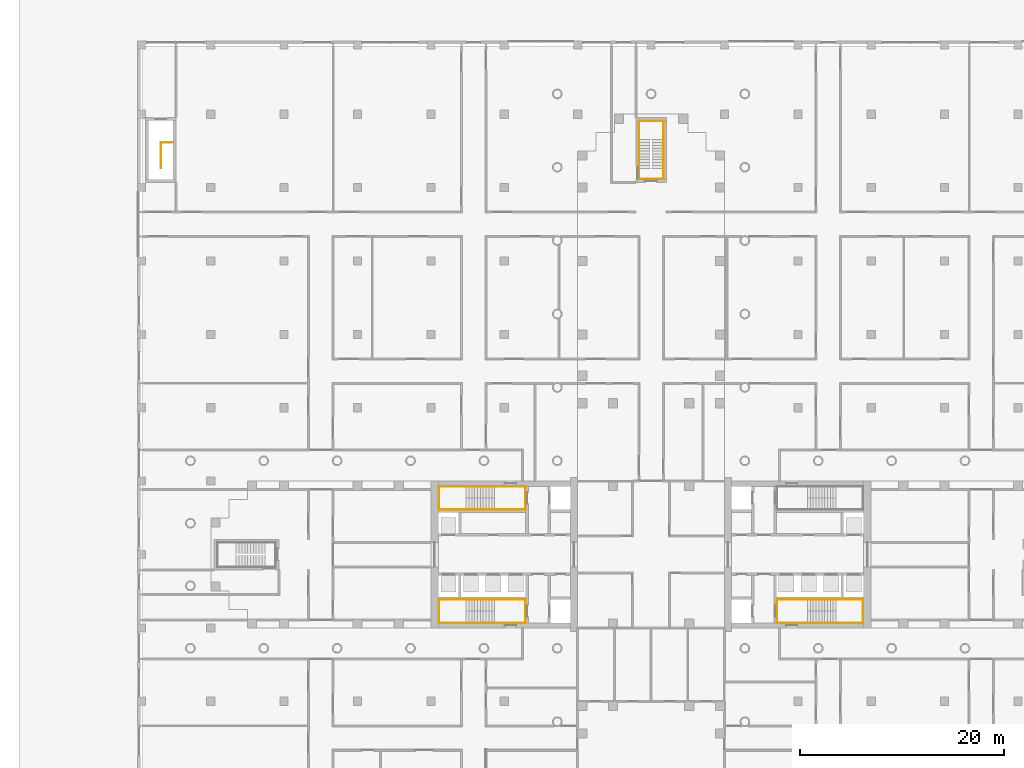
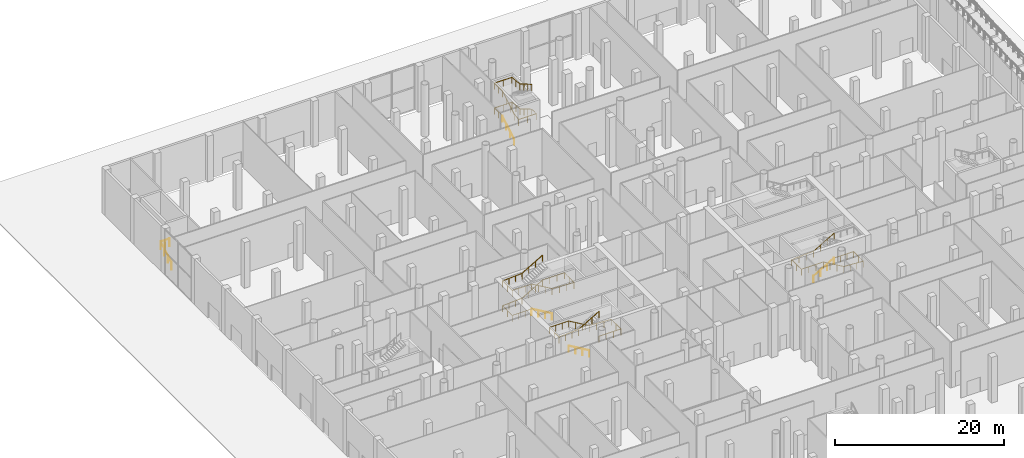
# One storey, part 42 of 44: 15 railings.
"""IFC4 building model written with IfcOpenShell, lengths in metres."""

from ifc_helpers import new_model, si_unit, direction, frame, origin, origin_2d, place, context, subcontext, project, spatial, circle, extrude, material, type_object, element, save


model = new_model("IFC4")

# Units and contexts
model_context = context("Model", 3, precision=1e-05, world=origin(), true_north=direction((0.0, 1.0)))
body_context = subcontext(model_context, "Body", "Model", "MODEL_VIEW")
ifc_project = project(units=[si_unit("LENGTHUNIT", "METRE"), si_unit("AREAUNIT", "SQUARE_METRE"), si_unit("VOLUMEUNIT", "CUBIC_METRE"), si_unit("PLANEANGLEUNIT", "RADIAN"), si_unit("MASSUNIT", "GRAM", prefix="KILO")], contexts=[model_context])

# Site, building, storey
site_placement = place(None, origin())
site = spatial("IfcSite", under=ifc_project, at=site_placement, CompositionType="ELEMENT")
building_placement = place(site_placement, origin())
building = spatial("IfcBuilding", under=site, at=building_placement, Name="Fustian Cross Tower", CompositionType="ELEMENT")
storey_placement = place(building_placement, origin())
storey = spatial("IfcBuildingStorey", under=building, at=storey_placement, Name="L00", CompositionType="ELEMENT", Elevation=0.0)

# Railings
ifc_material_1 = material(Name="Stainless steel", Category="steel")
railing_type_1 = type_object("IfcRailingType", Name="STAIR GUARD", PredefinedType="GUARDRAIL", material=ifc_material_1)
railing_1_placement = place(storey_placement, frame((-48.10009765625, 37.89990234375, -1.43994140625)))
element("IfcRailing", 1, at=railing_1_placement, inside=storey, type_object=railing_type_1, Name="Stair ST11 guard", PredefinedType="GUARDRAIL", context=body_context, shape_type="SweptSolid", body=[
    extrude(circle(Radius=0.02490234375, at=origin_2d()), frame((0.0, 0.0, 1.0751953125), z_axis=(0.0, 0.868253494771, 0.496120820787), x_axis=(-1.0, 0.0, 0.0)), (0.0, 0.0, 1.0), 2.90234375),
    extrude(circle(Radius=0.02490234375, at=origin_2d()), frame((0.0, 2.52001953125, 2.51513671875), z_axis=(1.0, 0.0, 0.0), x_axis=(0.0, 1.0, 0.0)), (0.0, 0.0, 1.0), 1.2001953125),
    extrude(circle(Radius=0.02001953125, at=origin_2d()), origin(), (0.0, 0.0, 1.0), 1.050048828125),
    extrude(circle(Radius=0.02001953125, at=origin_2d()), frame((0.0, 0.840087890625, 0.47998046875)), (0.0, 0.0, 1.0), 1.050048828125),
    extrude(circle(Radius=0.02001953125, at=origin_2d()), frame((0.0, 1.679931640625, 0.9599609375)), (0.0, 0.0, 1.0), 1.050048828125),
    extrude(circle(Radius=0.02001953125, at=origin_2d()), frame((0.0, 2.52001953125, 1.43994140625)), (0.0, 0.0, 1.0), 1.050048828125),
    extrude(circle(Radius=0.02001953125, at=origin_2d()), frame((0.60009765625, 2.52001953125, 1.43994140625)), (0.0, 0.0, 1.0), 1.050048828125),
    extrude(circle(Radius=0.02001953125, at=origin_2d()), frame((1.2001953125, 2.52001953125, 1.43994140625)), (0.0, 0.0, 1.0), 1.050048828125),
])
ifc_material_2 = material(Name="Stainless steel", Category="steel")
railing_type_2 = type_object("IfcRailingType", Name="STAIR HANDRAIL", PredefinedType="HANDRAIL", material=ifc_material_2)
railing_2_placement = place(storey_placement, frame((15.35009765625, -4.39990234375, 0.16357421875)))
element("IfcRailing", 2, at=railing_2_placement, inside=storey, type_object=railing_type_2, Name="Stair ST2 handrail 1", PredefinedType="HANDRAIL", context=body_context, shape_type="SweptSolid", body=[
    extrude(circle(Radius=0.02490234375, at=origin_2d()), frame((0.0, 0.0, 0.875), z_axis=(0.863341702679, 0.0, 0.504619762213), x_axis=(0.0, 1.0, 0.0)), (0.0, 0.0, 1.0), 3.242919921875),
    extrude(circle(Radius=0.02001953125, at=origin_2d()), origin(), (0.0, 0.0, 1.0), 0.849853515625),
    extrude(circle(Radius=0.02001953125, at=origin_2d()), frame((0.933349609375, 0.0, 0.54541015625)), (0.0, 0.0, 1.0), 0.849853515625),
    extrude(circle(Radius=0.02001953125, at=origin_2d()), frame((1.866455078125, 0.0, 1.091064453125)), (0.0, 0.0, 1.0), 0.849853515625),
    extrude(circle(Radius=0.02001953125, at=origin_2d()), frame((2.7998046875, 0.0, 1.636474609375)), (0.0, 0.0, 1.0), 0.849853515625),
])
railing_3_placement = place(storey_placement, frame((18.14990234375, -4.39990234375, 1.800048828125)))
element("IfcRailing", 3, at=railing_3_placement, inside=storey, type_object=railing_type_2, Name="Stair ST2 handrail 2", PredefinedType="HANDRAIL", context=body_context, shape_type="SweptSolid", body=[
    extrude(circle(Radius=0.02490234375, at=origin_2d()), frame((0.0, 0.0, 0.875), z_axis=(1.0, 0.0, 0.0), x_axis=(0.0, 1.0, 0.0)), (0.0, 0.0, 1.0), 2.66015625),
    extrude(circle(Radius=0.02490234375, at=origin_2d()), frame((2.66015625, 0.0, 0.875), z_axis=(0.0, -1.0, 0.0), x_axis=(1.0, 0.0, 0.0)), (0.0, 0.0, 1.0), 2.300048828125),
    extrude(circle(Radius=0.02490234375, at=origin_2d()), frame((2.66015625, -2.300048828125, 0.875), z_axis=(-0.998114806323, 0.0, 0.061374533796), x_axis=(0.0, -1.0, 0.0)), (0.0, 0.0, 1.0), 2.665283203125),
    extrude(circle(Radius=0.02490234375, at=origin_2d()), frame((0.0, -2.300048828125, 1.03857421875), z_axis=(-0.863341702679, 0.0, 0.504619762213), x_axis=(0.0, -1.0, 0.0)), (0.0, 0.0, 1.0), 3.242919921875),
    extrude(circle(Radius=0.02001953125, at=origin_2d()), origin(), (0.0, 0.0, 1.0), 0.849853515625),
    extrude(circle(Radius=0.02001953125, at=origin_2d()), frame((0.88671875, 0.0, 0.0)), (0.0, 0.0, 1.0), 0.849853515625),
    extrude(circle(Radius=0.02001953125, at=origin_2d()), frame((1.7734375, 0.0, 0.0)), (0.0, 0.0, 1.0), 0.849853515625),
    extrude(circle(Radius=0.02001953125, at=origin_2d()), frame((2.66015625, 0.0, 0.0)), (0.0, 0.0, 1.0), 0.849853515625),
    extrude(circle(Radius=0.02001953125, at=origin_2d()), frame((2.66015625, -1.14990234375, 0.0)), (0.0, 0.0, 1.0), 0.849853515625),
    extrude(circle(Radius=0.02001953125, at=origin_2d()), frame((2.66015625, -2.300048828125, 0.0)), (0.0, 0.0, 1.0), 0.849853515625),
    extrude(circle(Radius=0.02001953125, at=origin_2d()), frame((1.7734375, -2.300048828125, 0.054443359375)), (0.0, 0.0, 1.0), 0.849853515625),
    extrude(circle(Radius=0.02001953125, at=origin_2d()), frame((0.88671875, -2.300048828125, 0.109130859375)), (0.0, 0.0, 1.0), 0.849853515625),
    extrude(circle(Radius=0.02001953125, at=origin_2d()), frame((0.0, -2.300048828125, 0.16357421875)), (0.0, 0.0, 1.0), 0.849853515625),
    extrude(circle(Radius=0.02001953125, at=origin_2d()), frame((-0.933349609375, -2.300048828125, 0.708984375)), (0.0, 0.0, 1.0), 0.849853515625),
    extrude(circle(Radius=0.02001953125, at=origin_2d()), frame((-1.866455078125, -2.300048828125, 1.254638671875)), (0.0, 0.0, 1.0), 0.849853515625),
    extrude(circle(Radius=0.02001953125, at=origin_2d()), frame((-2.7998046875, -2.300048828125, 1.800048828125)), (0.0, 0.0, 1.0), 0.849853515625),
])
railing_4_placement = place(storey_placement, frame((15.35009765625, -6.699951171875, 3.60009765625)))
element("IfcRailing", 4, at=railing_4_placement, inside=storey, type_object=railing_type_2, Name="Stair ST2 handrail 3", PredefinedType="HANDRAIL", context=body_context, shape_type="SweptSolid", body=[
    extrude(circle(Radius=0.02490234375, at=origin_2d()), frame((0.0, 0.0, 0.875), z_axis=(-1.0, 0.0, 0.0), x_axis=(0.0, -1.0, 0.0)), (0.0, 0.0, 1.0), 3.010009765625),
    extrude(circle(Radius=0.02490234375, at=origin_2d()), frame((-3.010009765625, 0.0, 0.875), z_axis=(0.0, 1.0, 0.0), x_axis=(-1.0, 0.0, 0.0)), (0.0, 0.0, 1.0), 2.300048828125),
    extrude(circle(Radius=0.02490234375, at=origin_2d()), frame((-3.010009765625, 2.300048828125, 0.875), z_axis=(0.998526658971, 0.0, 0.05426335157), x_axis=(0.0, 1.0, 0.0)), (0.0, 0.0, 1.0), 3.014404296875),
    extrude(circle(Radius=0.02490234375, at=origin_2d()), frame((0.0, 2.300048828125, 1.03857421875), z_axis=(0.863374499697, 0.0, 0.504563646405), x_axis=(0.0, 1.0, 0.0)), (0.0, 0.0, 1.0), 3.242919921875),
    extrude(circle(Radius=0.02001953125, at=origin_2d()), origin(), (0.0, 0.0, 1.0), 0.849853515625),
    extrude(circle(Radius=0.02001953125, at=origin_2d()), frame((-1.00341796875, 0.0, 0.0)), (0.0, 0.0, 1.0), 0.849853515625),
    extrude(circle(Radius=0.02001953125, at=origin_2d()), frame((-2.006591796875, 0.0, 0.0)), (0.0, 0.0, 1.0), 0.849853515625),
    extrude(circle(Radius=0.02001953125, at=origin_2d()), frame((-3.010009765625, 0.0, 0.0)), (0.0, 0.0, 1.0), 0.849853515625),
    extrude(circle(Radius=0.02001953125, at=origin_2d()), frame((-3.010009765625, 1.14990234375, 0.0)), (0.0, 0.0, 1.0), 0.849853515625),
    extrude(circle(Radius=0.02001953125, at=origin_2d()), frame((-3.010009765625, 2.300048828125, 0.0)), (0.0, 0.0, 1.0), 0.849853515625),
    extrude(circle(Radius=0.02001953125, at=origin_2d()), frame((-2.006591796875, 2.300048828125, 0.054443359375)), (0.0, 0.0, 1.0), 0.849853515625),
    extrude(circle(Radius=0.02001953125, at=origin_2d()), frame((-1.00341796875, 2.300048828125, 0.109130859375)), (0.0, 0.0, 1.0), 0.849853515625),
    extrude(circle(Radius=0.02001953125, at=origin_2d()), frame((0.0, 2.300048828125, 0.16357421875)), (0.0, 0.0, 1.0), 0.849853515625),
    extrude(circle(Radius=0.02001953125, at=origin_2d()), frame((0.933349609375, 2.300048828125, 0.708984375)), (0.0, 0.0, 1.0), 0.849853515625),
    extrude(circle(Radius=0.02001953125, at=origin_2d()), frame((1.866455078125, 2.300048828125, 1.25439453125)), (0.0, 0.0, 1.0), 0.849853515625),
    extrude(circle(Radius=0.02001953125, at=origin_2d()), frame((2.7998046875, 2.300048828125, 1.7998046875)), (0.0, 0.0, 1.0), 0.849853515625),
])
railing_5_placement = place(storey_placement, frame((-15.35009765625, 4.39990234375, 0.16357421875)))
element("IfcRailing", 5, at=railing_5_placement, inside=storey, type_object=railing_type_2, Name="Stair ST3 handrail 1", PredefinedType="HANDRAIL", context=body_context, shape_type="SweptSolid", body=[
    extrude(circle(Radius=0.02490234375, at=origin_2d()), frame((0.0, 0.0, 0.875), z_axis=(-0.863341702679, 0.0, 0.504619762213), x_axis=(0.0, -1.0, 0.0)), (0.0, 0.0, 1.0), 3.242919921875),
    extrude(circle(Radius=0.02001953125, at=origin_2d()), origin(), (0.0, 0.0, 1.0), 0.849853515625),
    extrude(circle(Radius=0.02001953125, at=origin_2d()), frame((-0.933349609375, 0.0, 0.54541015625)), (0.0, 0.0, 1.0), 0.849853515625),
    extrude(circle(Radius=0.02001953125, at=origin_2d()), frame((-1.866455078125, 0.0, 1.091064453125)), (0.0, 0.0, 1.0), 0.849853515625),
    extrude(circle(Radius=0.02001953125, at=origin_2d()), frame((-2.7998046875, 0.0, 1.636474609375)), (0.0, 0.0, 1.0), 0.849853515625),
])
railing_6_placement = place(storey_placement, frame((-18.14990234375, 4.39990234375, 1.800048828125)))
element("IfcRailing", 6, at=railing_6_placement, inside=storey, type_object=railing_type_2, Name="Stair ST3 handrail 2", PredefinedType="HANDRAIL", context=body_context, shape_type="SweptSolid", body=[
    extrude(circle(Radius=0.02490234375, at=origin_2d()), frame((0.0, 0.0, 0.875), z_axis=(-1.0, 0.0, 0.0), x_axis=(0.0, -1.0, 0.0)), (0.0, 0.0, 1.0), 2.66015625),
    extrude(circle(Radius=0.02490234375, at=origin_2d()), frame((-2.66015625, 0.0, 0.875), z_axis=(0.0, 1.0, 0.0), x_axis=(-1.0, 0.0, 0.0)), (0.0, 0.0, 1.0), 2.300048828125),
    extrude(circle(Radius=0.02490234375, at=origin_2d()), frame((-2.66015625, 2.300048828125, 0.875), z_axis=(0.998114806323, 0.0, 0.061374533796), x_axis=(0.0, 1.0, 0.0)), (0.0, 0.0, 1.0), 2.665283203125),
    extrude(circle(Radius=0.02490234375, at=origin_2d()), frame((0.0, 2.300048828125, 1.03857421875), z_axis=(0.863341702679, 0.0, 0.504619762213), x_axis=(0.0, 1.0, 0.0)), (0.0, 0.0, 1.0), 3.242919921875),
    extrude(circle(Radius=0.02001953125, at=origin_2d()), origin(), (0.0, 0.0, 1.0), 0.849853515625),
    extrude(circle(Radius=0.02001953125, at=origin_2d()), frame((-0.88671875, 0.0, 0.0)), (0.0, 0.0, 1.0), 0.849853515625),
    extrude(circle(Radius=0.02001953125, at=origin_2d()), frame((-1.7734375, 0.0, 0.0)), (0.0, 0.0, 1.0), 0.849853515625),
    extrude(circle(Radius=0.02001953125, at=origin_2d()), frame((-2.66015625, 0.0, 0.0)), (0.0, 0.0, 1.0), 0.849853515625),
    extrude(circle(Radius=0.02001953125, at=origin_2d()), frame((-2.66015625, 1.14990234375, 0.0)), (0.0, 0.0, 1.0), 0.849853515625),
    extrude(circle(Radius=0.02001953125, at=origin_2d()), frame((-2.66015625, 2.300048828125, 0.0)), (0.0, 0.0, 1.0), 0.849853515625),
    extrude(circle(Radius=0.02001953125, at=origin_2d()), frame((-1.7734375, 2.300048828125, 0.054443359375)), (0.0, 0.0, 1.0), 0.849853515625),
    extrude(circle(Radius=0.02001953125, at=origin_2d()), frame((-0.88671875, 2.300048828125, 0.109130859375)), (0.0, 0.0, 1.0), 0.849853515625),
    extrude(circle(Radius=0.02001953125, at=origin_2d()), frame((0.0, 2.300048828125, 0.16357421875)), (0.0, 0.0, 1.0), 0.849853515625),
    extrude(circle(Radius=0.02001953125, at=origin_2d()), frame((0.933349609375, 2.300048828125, 0.708984375)), (0.0, 0.0, 1.0), 0.849853515625),
    extrude(circle(Radius=0.02001953125, at=origin_2d()), frame((1.866455078125, 2.300048828125, 1.254638671875)), (0.0, 0.0, 1.0), 0.849853515625),
    extrude(circle(Radius=0.02001953125, at=origin_2d()), frame((2.7998046875, 2.300048828125, 1.800048828125)), (0.0, 0.0, 1.0), 0.849853515625),
])
railing_7_placement = place(storey_placement, frame((-15.35009765625, 6.699951171875, 3.60009765625)))
element("IfcRailing", 7, at=railing_7_placement, inside=storey, type_object=railing_type_2, Name="Stair ST3 handrail 3", PredefinedType="HANDRAIL", context=body_context, shape_type="SweptSolid", body=[
    extrude(circle(Radius=0.02490234375, at=origin_2d()), frame((0.0, 0.0, 0.875), z_axis=(1.0, 0.0, 0.0), x_axis=(0.0, 1.0, 0.0)), (0.0, 0.0, 1.0), 3.010009765625),
    extrude(circle(Radius=0.02490234375, at=origin_2d()), frame((3.010009765625, 0.0, 0.875), z_axis=(0.0, -1.0, 0.0), x_axis=(1.0, 0.0, 0.0)), (0.0, 0.0, 1.0), 2.300048828125),
    extrude(circle(Radius=0.02490234375, at=origin_2d()), frame((3.010009765625, -2.300048828125, 0.875), z_axis=(-0.998526658971, 0.0, 0.05426335157), x_axis=(0.0, -1.0, 0.0)), (0.0, 0.0, 1.0), 3.014404296875),
    extrude(circle(Radius=0.02490234375, at=origin_2d()), frame((0.0, -2.300048828125, 1.03857421875), z_axis=(-0.863374499697, 0.0, 0.504563646405), x_axis=(0.0, -1.0, 0.0)), (0.0, 0.0, 1.0), 3.242919921875),
    extrude(circle(Radius=0.02001953125, at=origin_2d()), origin(), (0.0, 0.0, 1.0), 0.849853515625),
    extrude(circle(Radius=0.02001953125, at=origin_2d()), frame((1.00341796875, 0.0, 0.0)), (0.0, 0.0, 1.0), 0.849853515625),
    extrude(circle(Radius=0.02001953125, at=origin_2d()), frame((2.006591796875, 0.0, 0.0)), (0.0, 0.0, 1.0), 0.849853515625),
    extrude(circle(Radius=0.02001953125, at=origin_2d()), frame((3.010009765625, 0.0, 0.0)), (0.0, 0.0, 1.0), 0.849853515625),
    extrude(circle(Radius=0.02001953125, at=origin_2d()), frame((3.010009765625, -1.14990234375, 0.0)), (0.0, 0.0, 1.0), 0.849853515625),
    extrude(circle(Radius=0.02001953125, at=origin_2d()), frame((3.010009765625, -2.300048828125, 0.0)), (0.0, 0.0, 1.0), 0.849853515625),
    extrude(circle(Radius=0.02001953125, at=origin_2d()), frame((2.006591796875, -2.300048828125, 0.054443359375)), (0.0, 0.0, 1.0), 0.849853515625),
    extrude(circle(Radius=0.02001953125, at=origin_2d()), frame((1.00341796875, -2.300048828125, 0.109130859375)), (0.0, 0.0, 1.0), 0.849853515625),
    extrude(circle(Radius=0.02001953125, at=origin_2d()), frame((0.0, -2.300048828125, 0.16357421875)), (0.0, 0.0, 1.0), 0.849853515625),
    extrude(circle(Radius=0.02001953125, at=origin_2d()), frame((-0.933349609375, -2.300048828125, 0.708984375)), (0.0, 0.0, 1.0), 0.849853515625),
    extrude(circle(Radius=0.02001953125, at=origin_2d()), frame((-1.866455078125, -2.300048828125, 1.25439453125)), (0.0, 0.0, 1.0), 0.849853515625),
    extrude(circle(Radius=0.02001953125, at=origin_2d()), frame((-2.7998046875, -2.300048828125, 1.7998046875)), (0.0, 0.0, 1.0), 0.849853515625),
])
railing_8_placement = place(storey_placement, frame((-18.14990234375, 4.39990234375, 5.39990234375)))
element("IfcRailing", 8, at=railing_8_placement, inside=storey, type_object=railing_type_2, Name="Stair ST3 handrail 4", PredefinedType="HANDRAIL", context=body_context, shape_type="SweptSolid", body=[
    extrude(circle(Radius=0.02490234375, at=origin_2d()), frame((0.0, 0.0, 0.875), z_axis=(-1.0, 0.0, 0.0), x_axis=(0.0, -1.0, 0.0)), (0.0, 0.0, 1.0), 2.66015625),
    extrude(circle(Radius=0.02490234375, at=origin_2d()), frame((-2.66015625, 0.0, 0.875), z_axis=(0.0, 1.0, 0.0), x_axis=(-1.0, 0.0, 0.0)), (0.0, 0.0, 1.0), 2.300048828125),
    extrude(circle(Radius=0.02490234375, at=origin_2d()), frame((-2.66015625, 2.300048828125, 0.875), z_axis=(0.998109190642, 0.0, 0.061465791751), x_axis=(0.0, 1.0, 0.0)), (0.0, 0.0, 1.0), 2.665283203125),
    extrude(circle(Radius=0.02490234375, at=origin_2d()), frame((0.0, 2.300048828125, 1.03857421875), z_axis=(0.863374499697, 0.0, 0.504563646405), x_axis=(0.0, 1.0, 0.0)), (0.0, 0.0, 1.0), 3.242919921875),
    extrude(circle(Radius=0.02001953125, at=origin_2d()), origin(), (0.0, 0.0, 1.0), 0.849853515625),
    extrude(circle(Radius=0.02001953125, at=origin_2d()), frame((-0.88671875, 0.0, 0.0)), (0.0, 0.0, 1.0), 0.849853515625),
    extrude(circle(Radius=0.02001953125, at=origin_2d()), frame((-1.7734375, 0.0, 0.0)), (0.0, 0.0, 1.0), 0.849853515625),
    extrude(circle(Radius=0.02001953125, at=origin_2d()), frame((-2.66015625, 0.0, 0.0)), (0.0, 0.0, 1.0), 0.849853515625),
    extrude(circle(Radius=0.02001953125, at=origin_2d()), frame((-2.66015625, 1.14990234375, 0.0)), (0.0, 0.0, 1.0), 0.849853515625),
    extrude(circle(Radius=0.02001953125, at=origin_2d()), frame((-2.66015625, 2.300048828125, 0.0)), (0.0, 0.0, 1.0), 0.849853515625),
    extrude(circle(Radius=0.02001953125, at=origin_2d()), frame((-1.7734375, 2.300048828125, 0.0546875)), (0.0, 0.0, 1.0), 0.849853515625),
    extrude(circle(Radius=0.02001953125, at=origin_2d()), frame((-0.88671875, 2.300048828125, 0.109130859375)), (0.0, 0.0, 1.0), 0.849853515625),
    extrude(circle(Radius=0.02001953125, at=origin_2d()), frame((0.0, 2.300048828125, 0.163818359375)), (0.0, 0.0, 1.0), 0.849853515625),
    extrude(circle(Radius=0.02001953125, at=origin_2d()), frame((0.933349609375, 2.300048828125, 0.709228515625)), (0.0, 0.0, 1.0), 0.849853515625),
    extrude(circle(Radius=0.02001953125, at=origin_2d()), frame((1.866455078125, 2.300048828125, 1.254638671875)), (0.0, 0.0, 1.0), 0.849853515625),
    extrude(circle(Radius=0.02001953125, at=origin_2d()), frame((2.7998046875, 2.300048828125, 1.800048828125)), (0.0, 0.0, 1.0), 0.849853515625),
])
railing_9_placement = place(storey_placement, frame((-15.35009765625, -4.39990234375, 0.16357421875)))
element("IfcRailing", 9, at=railing_9_placement, inside=storey, type_object=railing_type_2, Name="Stair ST4 handrail 1", PredefinedType="HANDRAIL", context=body_context, shape_type="SweptSolid", body=[
    extrude(circle(Radius=0.02490234375, at=origin_2d()), frame((0.0, 0.0, 0.875), z_axis=(-0.863341702679, 0.0, 0.504619762213), x_axis=(0.0, -1.0, 0.0)), (0.0, 0.0, 1.0), 3.242919921875),
    extrude(circle(Radius=0.02001953125, at=origin_2d()), origin(), (0.0, 0.0, 1.0), 0.849853515625),
    extrude(circle(Radius=0.02001953125, at=origin_2d()), frame((-0.933349609375, 0.0, 0.54541015625)), (0.0, 0.0, 1.0), 0.849853515625),
    extrude(circle(Radius=0.02001953125, at=origin_2d()), frame((-1.866455078125, 0.0, 1.091064453125)), (0.0, 0.0, 1.0), 0.849853515625),
    extrude(circle(Radius=0.02001953125, at=origin_2d()), frame((-2.7998046875, 0.0, 1.636474609375)), (0.0, 0.0, 1.0), 0.849853515625),
])
railing_10_placement = place(storey_placement, frame((-15.35009765625, -6.699951171875, 3.60009765625)))
element("IfcRailing", 10, at=railing_10_placement, inside=storey, type_object=railing_type_2, Name="Stair ST4 handrail 3", PredefinedType="HANDRAIL", context=body_context, shape_type="SweptSolid", body=[
    extrude(circle(Radius=0.02490234375, at=origin_2d()), frame((0.0, 0.0, 0.875), z_axis=(1.0, 0.0, 0.0), x_axis=(0.0, 1.0, 0.0)), (0.0, 0.0, 1.0), 3.010009765625),
    extrude(circle(Radius=0.02490234375, at=origin_2d()), frame((3.010009765625, 0.0, 0.875), z_axis=(0.0, 1.0, 0.0), x_axis=(-1.0, 0.0, 0.0)), (0.0, 0.0, 1.0), 2.300048828125),
    extrude(circle(Radius=0.02490234375, at=origin_2d()), frame((3.010009765625, 2.300048828125, 0.875), z_axis=(-0.998526658971, 0.0, 0.05426335157), x_axis=(0.0, -1.0, 0.0)), (0.0, 0.0, 1.0), 3.014404296875),
    extrude(circle(Radius=0.02490234375, at=origin_2d()), frame((0.0, 2.300048828125, 1.03857421875), z_axis=(-0.863374499697, 0.0, 0.504563646405), x_axis=(0.0, -1.0, 0.0)), (0.0, 0.0, 1.0), 3.242919921875),
    extrude(circle(Radius=0.02001953125, at=origin_2d()), origin(), (0.0, 0.0, 1.0), 0.849853515625),
    extrude(circle(Radius=0.02001953125, at=origin_2d()), frame((1.00341796875, 0.0, 0.0)), (0.0, 0.0, 1.0), 0.849853515625),
    extrude(circle(Radius=0.02001953125, at=origin_2d()), frame((2.006591796875, 0.0, 0.0)), (0.0, 0.0, 1.0), 0.849853515625),
    extrude(circle(Radius=0.02001953125, at=origin_2d()), frame((3.010009765625, 0.0, 0.0)), (0.0, 0.0, 1.0), 0.849853515625),
    extrude(circle(Radius=0.02001953125, at=origin_2d()), frame((3.010009765625, 1.14990234375, 0.0)), (0.0, 0.0, 1.0), 0.849853515625),
    extrude(circle(Radius=0.02001953125, at=origin_2d()), frame((3.010009765625, 2.300048828125, 0.0)), (0.0, 0.0, 1.0), 0.849853515625),
    extrude(circle(Radius=0.02001953125, at=origin_2d()), frame((2.006591796875, 2.300048828125, 0.054443359375)), (0.0, 0.0, 1.0), 0.849853515625),
    extrude(circle(Radius=0.02001953125, at=origin_2d()), frame((1.00341796875, 2.300048828125, 0.109130859375)), (0.0, 0.0, 1.0), 0.849853515625),
    extrude(circle(Radius=0.02001953125, at=origin_2d()), frame((0.0, 2.300048828125, 0.16357421875)), (0.0, 0.0, 1.0), 0.849853515625),
    extrude(circle(Radius=0.02001953125, at=origin_2d()), frame((-0.933349609375, 2.300048828125, 0.708984375)), (0.0, 0.0, 1.0), 0.849853515625),
    extrude(circle(Radius=0.02001953125, at=origin_2d()), frame((-1.866455078125, 2.300048828125, 1.25439453125)), (0.0, 0.0, 1.0), 0.849853515625),
    extrude(circle(Radius=0.02001953125, at=origin_2d()), frame((-2.7998046875, 2.300048828125, 1.7998046875)), (0.0, 0.0, 1.0), 0.849853515625),
])
railing_11_placement = place(storey_placement, frame((-18.14990234375, -4.39990234375, 5.39990234375)))
element("IfcRailing", 11, at=railing_11_placement, inside=storey, type_object=railing_type_2, Name="Stair ST4 handrail 4", PredefinedType="HANDRAIL", context=body_context, shape_type="SweptSolid", body=[
    extrude(circle(Radius=0.02490234375, at=origin_2d()), frame((0.0, 0.0, 0.875), z_axis=(-1.0, 0.0, 0.0), x_axis=(0.0, -1.0, 0.0)), (0.0, 0.0, 1.0), 2.66015625),
    extrude(circle(Radius=0.02490234375, at=origin_2d()), frame((-2.66015625, 0.0, 0.875), z_axis=(0.0, -1.0, 0.0), x_axis=(1.0, 0.0, 0.0)), (0.0, 0.0, 1.0), 2.300048828125),
    extrude(circle(Radius=0.02490234375, at=origin_2d()), frame((-2.66015625, -2.300048828125, 0.875), z_axis=(0.998109190642, 0.0, 0.061465791751), x_axis=(0.0, 1.0, 0.0)), (0.0, 0.0, 1.0), 2.665283203125),
    extrude(circle(Radius=0.02490234375, at=origin_2d()), frame((0.0, -2.300048828125, 1.03857421875), z_axis=(0.863374499697, 0.0, 0.504563646405), x_axis=(0.0, 1.0, 0.0)), (0.0, 0.0, 1.0), 3.242919921875),
    extrude(circle(Radius=0.02001953125, at=origin_2d()), origin(), (0.0, 0.0, 1.0), 0.849853515625),
    extrude(circle(Radius=0.02001953125, at=origin_2d()), frame((-0.88671875, 0.0, 0.0)), (0.0, 0.0, 1.0), 0.849853515625),
    extrude(circle(Radius=0.02001953125, at=origin_2d()), frame((-1.7734375, 0.0, 0.0)), (0.0, 0.0, 1.0), 0.849853515625),
    extrude(circle(Radius=0.02001953125, at=origin_2d()), frame((-2.66015625, 0.0, 0.0)), (0.0, 0.0, 1.0), 0.849853515625),
    extrude(circle(Radius=0.02001953125, at=origin_2d()), frame((-2.66015625, -1.14990234375, 0.0)), (0.0, 0.0, 1.0), 0.849853515625),
    extrude(circle(Radius=0.02001953125, at=origin_2d()), frame((-2.66015625, -2.300048828125, 0.0)), (0.0, 0.0, 1.0), 0.849853515625),
    extrude(circle(Radius=0.02001953125, at=origin_2d()), frame((-1.7734375, -2.300048828125, 0.0546875)), (0.0, 0.0, 1.0), 0.849853515625),
    extrude(circle(Radius=0.02001953125, at=origin_2d()), frame((-0.88671875, -2.300048828125, 0.109130859375)), (0.0, 0.0, 1.0), 0.849853515625),
    extrude(circle(Radius=0.02001953125, at=origin_2d()), frame((0.0, -2.300048828125, 0.163818359375)), (0.0, 0.0, 1.0), 0.849853515625),
    extrude(circle(Radius=0.02001953125, at=origin_2d()), frame((0.933349609375, -2.300048828125, 0.709228515625)), (0.0, 0.0, 1.0), 0.849853515625),
    extrude(circle(Radius=0.02001953125, at=origin_2d()), frame((1.866455078125, -2.300048828125, 1.254638671875)), (0.0, 0.0, 1.0), 0.849853515625),
    extrude(circle(Radius=0.02001953125, at=origin_2d()), frame((2.7998046875, -2.300048828125, 1.800048828125)), (0.0, 0.0, 1.0), 0.849853515625),
])
railing_12_placement = place(storey_placement, frame((-1.199951171875, 37.89990234375, 0.16357421875)))
element("IfcRailing", 12, at=railing_12_placement, inside=storey, type_object=railing_type_2, Name="Stair ST5 handrail 1", PredefinedType="HANDRAIL", context=body_context, shape_type="SweptSolid", body=[
    extrude(circle(Radius=0.02490234375, at=origin_2d()), frame((0.0, 0.0, 0.875), z_axis=(0.0, 0.863360870873, 0.504586966384), x_axis=(-1.0, 0.0, 0.0)), (0.0, 0.0, 1.0), 3.2431640625),
    extrude(circle(Radius=0.02001953125, at=origin_2d()), origin(), (0.0, 0.0, 1.0), 0.849853515625),
    extrude(circle(Radius=0.02001953125, at=origin_2d()), frame((0.0, 0.933349609375, 0.54541015625)), (0.0, 0.0, 1.0), 0.849853515625),
    extrude(circle(Radius=0.02001953125, at=origin_2d()), frame((0.0, 1.86669921875, 1.091064453125)), (0.0, 0.0, 1.0), 0.849853515625),
    extrude(circle(Radius=0.02001953125, at=origin_2d()), frame((0.0, 2.800048828125, 1.636474609375)), (0.0, 0.0, 1.0), 0.849853515625),
])
railing_13_placement = place(storey_placement, frame((-1.199951171875, 40.699951171875, 1.800048828125)))
element("IfcRailing", 13, at=railing_13_placement, inside=storey, type_object=railing_type_2, Name="Stair ST5 handrail 2", PredefinedType="HANDRAIL", context=body_context, shape_type="SweptSolid", body=[
    extrude(circle(Radius=0.02490234375, at=origin_2d()), frame((0.0, 0.0, 0.875), z_axis=(0.0, 1.0, 0.0), x_axis=(-1.0, 0.0, 0.0)), (0.0, 0.0, 1.0), 1.860107421875),
    extrude(circle(Radius=0.02490234375, at=origin_2d()), frame((0.0, 1.860107421875, 0.875), z_axis=(1.0, 0.0, 0.0), x_axis=(0.0, 1.0, 0.0)), (0.0, 0.0, 1.0), 2.39990234375),
    extrude(circle(Radius=0.02490234375, at=origin_2d()), frame((2.39990234375, 1.860107421875, 0.875), z_axis=(0.0, -0.996155731489, 0.087599992138), x_axis=(1.0, 0.0, 0.0)), (0.0, 0.0, 1.0), 1.8671875),
    extrude(circle(Radius=0.02490234375, at=origin_2d()), frame((2.39990234375, 0.0, 1.03857421875), z_axis=(0.0, -0.863360870873, 0.504586966384), x_axis=(1.0, 0.0, 0.0)), (0.0, 0.0, 1.0), 3.2431640625),
    extrude(circle(Radius=0.02001953125, at=origin_2d()), origin(), (0.0, 0.0, 1.0), 0.849853515625),
    extrude(circle(Radius=0.02001953125, at=origin_2d()), frame((0.0, 0.93017578125, 0.0)), (0.0, 0.0, 1.0), 0.849853515625),
    extrude(circle(Radius=0.02001953125, at=origin_2d()), frame((0.0, 1.860107421875, 0.0)), (0.0, 0.0, 1.0), 0.849853515625),
    extrude(circle(Radius=0.02001953125, at=origin_2d()), frame((1.199951171875, 1.860107421875, 0.0)), (0.0, 0.0, 1.0), 0.849853515625),
    extrude(circle(Radius=0.02001953125, at=origin_2d()), frame((2.39990234375, 1.860107421875, 0.0)), (0.0, 0.0, 1.0), 0.849853515625),
    extrude(circle(Radius=0.02001953125, at=origin_2d()), frame((2.39990234375, 0.93017578125, 0.081787109375)), (0.0, 0.0, 1.0), 0.849853515625),
    extrude(circle(Radius=0.02001953125, at=origin_2d()), frame((2.39990234375, 0.0, 0.16357421875)), (0.0, 0.0, 1.0), 0.849853515625),
    extrude(circle(Radius=0.02001953125, at=origin_2d()), frame((2.39990234375, -0.933349609375, 0.708984375)), (0.0, 0.0, 1.0), 0.849853515625),
    extrude(circle(Radius=0.02001953125, at=origin_2d()), frame((2.39990234375, -1.86669921875, 1.254638671875)), (0.0, 0.0, 1.0), 0.849853515625),
    extrude(circle(Radius=0.02001953125, at=origin_2d()), frame((2.39990234375, -2.800048828125, 1.800048828125)), (0.0, 0.0, 1.0), 0.849853515625),
])
railing_14_placement = place(storey_placement, frame((1.199951171875, 37.89990234375, 3.60009765625)))
element("IfcRailing", 14, at=railing_14_placement, inside=storey, type_object=railing_type_2, Name="Stair ST5 handrail 3", PredefinedType="HANDRAIL", context=body_context, shape_type="SweptSolid", body=[
    extrude(circle(Radius=0.02490234375, at=origin_2d()), frame((0.0, 0.0, 0.875), z_axis=(0.0, -1.0, 0.0), x_axis=(1.0, 0.0, 0.0)), (0.0, 0.0, 1.0), 1.059814453125),
    extrude(circle(Radius=0.02490234375, at=origin_2d()), frame((0.0, -1.059814453125, 0.875), z_axis=(-1.0, 0.0, 0.0), x_axis=(0.0, -1.0, 0.0)), (0.0, 0.0, 1.0), 2.39990234375),
    extrude(circle(Radius=0.02490234375, at=origin_2d()), frame((-2.39990234375, -1.059814453125, 0.875), z_axis=(0.0, 0.988297886235, 0.152536186081), x_axis=(-1.0, 0.0, 0.0)), (0.0, 0.0, 1.0), 1.072265625),
    extrude(circle(Radius=0.02490234375, at=origin_2d()), frame((-2.39990234375, 0.0, 1.03857421875), z_axis=(0.0, 0.863393664356, 0.504530851732), x_axis=(-1.0, 0.0, 0.0)), (0.0, 0.0, 1.0), 3.2431640625),
    extrude(circle(Radius=0.02001953125, at=origin_2d()), origin(), (0.0, 0.0, 1.0), 0.849853515625),
    extrude(circle(Radius=0.02001953125, at=origin_2d()), frame((0.0, -1.059814453125, 0.0)), (0.0, 0.0, 1.0), 0.849853515625),
    extrude(circle(Radius=0.02001953125, at=origin_2d()), frame((-1.199951171875, -1.059814453125, 0.0)), (0.0, 0.0, 1.0), 0.849853515625),
    extrude(circle(Radius=0.02001953125, at=origin_2d()), frame((-2.39990234375, -1.059814453125, 0.0)), (0.0, 0.0, 1.0), 0.849853515625),
    extrude(circle(Radius=0.02001953125, at=origin_2d()), frame((-2.39990234375, 0.0, 0.16357421875)), (0.0, 0.0, 1.0), 0.849853515625),
    extrude(circle(Radius=0.02001953125, at=origin_2d()), frame((-2.39990234375, 0.933349609375, 0.708984375)), (0.0, 0.0, 1.0), 0.849853515625),
    extrude(circle(Radius=0.02001953125, at=origin_2d()), frame((-2.39990234375, 1.86669921875, 1.25439453125)), (0.0, 0.0, 1.0), 0.849853515625),
    extrude(circle(Radius=0.02001953125, at=origin_2d()), frame((-2.39990234375, 2.800048828125, 1.7998046875)), (0.0, 0.0, 1.0), 0.849853515625),
])
railing_15_placement = place(storey_placement, frame((-1.199951171875, 40.699951171875, 5.39990234375)))
element("IfcRailing", 15, at=railing_15_placement, inside=storey, type_object=railing_type_2, Name="Stair ST5 handrail 4", PredefinedType="HANDRAIL", context=body_context, shape_type="SweptSolid", body=[
    extrude(circle(Radius=0.02490234375, at=origin_2d()), frame((0.0, 0.0, 0.875), z_axis=(0.0, 1.0, 0.0), x_axis=(-1.0, 0.0, 0.0)), (0.0, 0.0, 1.0), 1.860107421875),
    extrude(circle(Radius=0.02490234375, at=origin_2d()), frame((0.0, 1.860107421875, 0.875), z_axis=(1.0, 0.0, 0.0), x_axis=(0.0, 1.0, 0.0)), (0.0, 0.0, 1.0), 2.39990234375),
    extrude(circle(Radius=0.02490234375, at=origin_2d()), frame((2.39990234375, 1.860107421875, 0.875), z_axis=(0.0, -0.996144313829, 0.087729732849), x_axis=(1.0, 0.0, 0.0)), (0.0, 0.0, 1.0), 1.8671875),
    extrude(circle(Radius=0.02490234375, at=origin_2d()), frame((2.39990234375, 0.0, 1.03857421875), z_axis=(0.0, -0.863393664356, 0.504530851732), x_axis=(1.0, 0.0, 0.0)), (0.0, 0.0, 1.0), 3.2431640625),
    extrude(circle(Radius=0.02001953125, at=origin_2d()), origin(), (0.0, 0.0, 1.0), 0.849853515625),
    extrude(circle(Radius=0.02001953125, at=origin_2d()), frame((0.0, 0.93017578125, 0.0)), (0.0, 0.0, 1.0), 0.849853515625),
    extrude(circle(Radius=0.02001953125, at=origin_2d()), frame((0.0, 1.860107421875, 0.0)), (0.0, 0.0, 1.0), 0.849853515625),
    extrude(circle(Radius=0.02001953125, at=origin_2d()), frame((1.199951171875, 1.860107421875, 0.0)), (0.0, 0.0, 1.0), 0.849853515625),
    extrude(circle(Radius=0.02001953125, at=origin_2d()), frame((2.39990234375, 1.860107421875, 0.0)), (0.0, 0.0, 1.0), 0.849853515625),
    extrude(circle(Radius=0.02001953125, at=origin_2d()), frame((2.39990234375, 0.93017578125, 0.08203125)), (0.0, 0.0, 1.0), 0.849853515625),
    extrude(circle(Radius=0.02001953125, at=origin_2d()), frame((2.39990234375, 0.0, 0.163818359375)), (0.0, 0.0, 1.0), 0.849853515625),
    extrude(circle(Radius=0.02001953125, at=origin_2d()), frame((2.39990234375, -0.933349609375, 0.709228515625)), (0.0, 0.0, 1.0), 0.849853515625),
    extrude(circle(Radius=0.02001953125, at=origin_2d()), frame((2.39990234375, -1.86669921875, 1.254638671875)), (0.0, 0.0, 1.0), 0.849853515625),
    extrude(circle(Radius=0.02001953125, at=origin_2d()), frame((2.39990234375, -2.800048828125, 1.800048828125)), (0.0, 0.0, 1.0), 0.849853515625),
])

save(model, "model.ifc")
